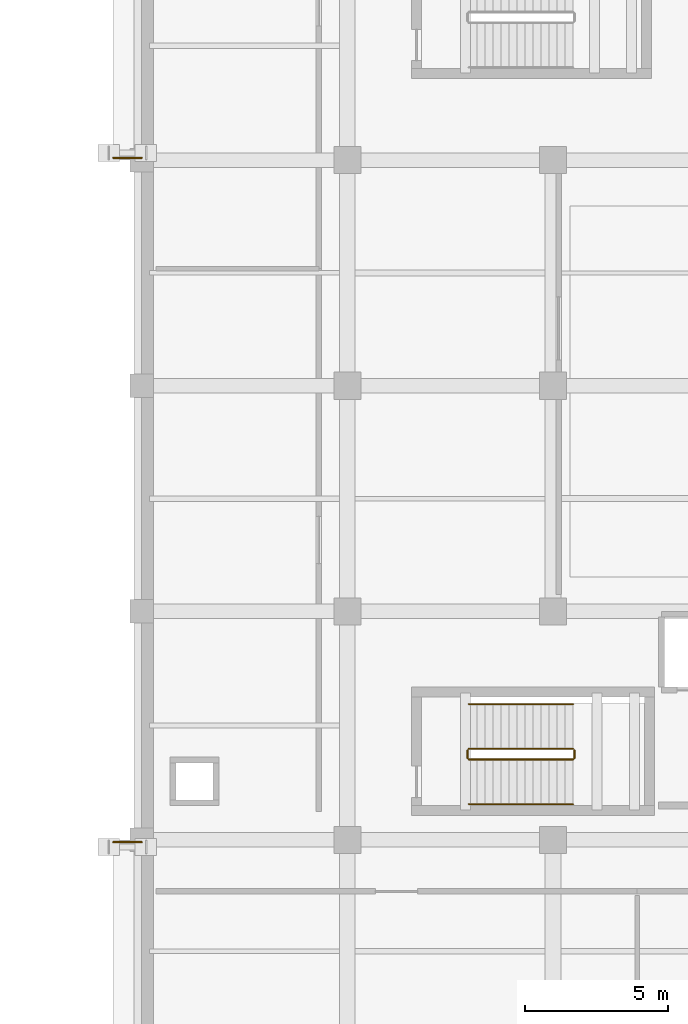
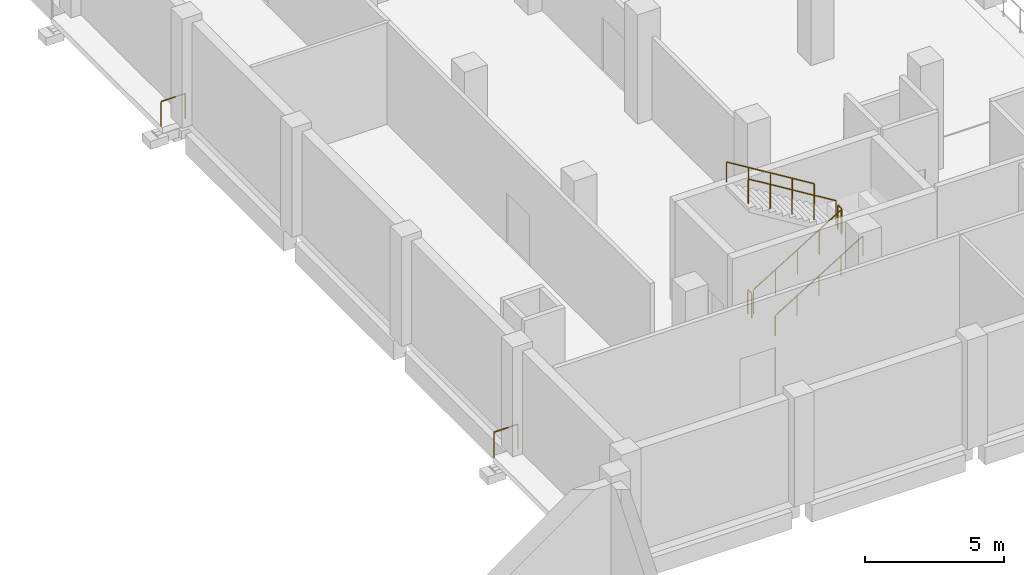
# One storey, part 25 of 31: 8 railings.
"""IFC4 building model written with IfcOpenShell, lengths in metres."""

from ifc_helpers import new_model, si_unit, direction, frame, origin, origin_2d, place, context, subcontext, project, spatial, circle, extrude, material, type_object, element, save


model = new_model("IFC4")

# Units and contexts
model_context = context("Model", 3, precision=1e-05, world=origin(), true_north=direction((0.0, 1.0)))
body_context = subcontext(model_context, "Body", "Model", "MODEL_VIEW")
ifc_project = project(units=[si_unit("LENGTHUNIT", "METRE"), si_unit("AREAUNIT", "SQUARE_METRE"), si_unit("VOLUMEUNIT", "CUBIC_METRE"), si_unit("PLANEANGLEUNIT", "RADIAN"), si_unit("MASSUNIT", "GRAM", prefix="KILO")], contexts=[model_context])

# Site, building, storey
site_placement = place(None, origin())
site = spatial("IfcSite", under=ifc_project, at=site_placement, CompositionType="ELEMENT")
building_placement = place(site_placement, origin())
building = spatial("IfcBuilding", under=site, at=building_placement, Name="Kelarvand Opera House", CompositionType="ELEMENT")
storey_placement = place(building_placement, frame((0.0, 0.0, -4.800048828125)))
storey = spatial("IfcBuildingStorey", under=building, at=storey_placement, Name="B1", CompositionType="ELEMENT", Elevation=-4.800048828125)

# Railings
ifc_material_1 = material(Name="Brushed bronze tubular rail")
railing_type_1 = type_object("IfcRailingType", Name="Brushed Bronze Stair Wall Handrail 900", PredefinedType="HANDRAIL", material=ifc_material_1)
railing_1_placement = place(storey_placement, frame((63.4599609375, 47.85009765625, 0.17138671875)))
element("IfcRailing", 1, at=railing_1_placement, inside=storey, type_object=railing_type_1, Name="B1 ST-02 stair handrail 1", PredefinedType="HANDRAIL", context=body_context, shape_type="SweptSolid", body=[
    extrude(circle(Radius=0.02392578125, at=origin_2d()), frame((0.0, 0.0, 0.8759765625), z_axis=(0.852840387347, 0.0, 0.522171689878), x_axis=(0.0, 1.0, 0.0)), (0.0, 0.0, 1.0), 4.268310546875),
    extrude(circle(Radius=0.02099609375, at=origin_2d()), origin(), (0.0, 0.0, 1.0), 0.851806640625),
    extrude(circle(Radius=0.02099609375, at=origin_2d()), frame((0.91015625, 0.0, 0.55712890625)), (0.0, 0.0, 1.0), 0.851806640625),
    extrude(circle(Radius=0.02099609375, at=origin_2d()), frame((1.820068359375, 0.0, 1.1142578125)), (0.0, 0.0, 1.0), 0.851806640625),
    extrude(circle(Radius=0.02099609375, at=origin_2d()), frame((2.72998046875, 0.0, 1.671630859375)), (0.0, 0.0, 1.0), 0.851806640625),
    extrude(circle(Radius=0.02099609375, at=origin_2d()), frame((3.64013671875, 0.0, 2.228759765625)), (0.0, 0.0, 1.0), 0.851806640625),
])
railing_2_placement = place(storey_placement, frame((67.10009765625, 51.35009765625, 2.571533203125)))
element("IfcRailing", 2, at=railing_2_placement, inside=storey, type_object=railing_type_1, Name="B1 ST-02 stair handrail 2", PredefinedType="HANDRAIL", context=body_context, shape_type="SweptSolid", body=[
    extrude(circle(Radius=0.02392578125, at=origin_2d()), frame((0.0, 0.0, 0.8759765625), z_axis=(-0.852865859571, 0.0, 0.52213008492), x_axis=(0.0, -1.0, 0.0)), (0.0, 0.0, 1.0), 4.26806640625),
    extrude(circle(Radius=0.02099609375, at=origin_2d()), origin(), (0.0, 0.0, 1.0), 0.851806640625),
    extrude(circle(Radius=0.02099609375, at=origin_2d()), frame((-0.91015625, 0.0, 0.55712890625)), (0.0, 0.0, 1.0), 0.851806640625),
    extrude(circle(Radius=0.02099609375, at=origin_2d()), frame((-1.820068359375, 0.0, 1.1142578125)), (0.0, 0.0, 1.0), 0.851806640625),
    extrude(circle(Radius=0.02099609375, at=origin_2d()), frame((-2.72998046875, 0.0, 1.67138671875)), (0.0, 0.0, 1.0), 0.851806640625),
    extrude(circle(Radius=0.02099609375, at=origin_2d()), frame((-3.64013671875, 0.0, 2.228515625)), (0.0, 0.0, 1.0), 0.851806640625),
])
ifc_material_2 = material(Name="Laminated safety glass with bronze cap rail", Category="glass")
railing_type_2 = type_object("IfcRailingType", Name="Laminated Glass and Bronze Foyer Balustrade 1120", PredefinedType="BALUSTRADE", material=ifc_material_2)
for number, where, name in (
    (3, (51.0, 70.47998046875, 0.0), "V1 B1 Balustrade 121"),
    (4, (51.0, 46.52001953125, 0.0), "V1 B1 Balustrade 128"),
):
    element("IfcRailing", number, at=place(storey_placement, frame(where)), inside=storey, type_object=railing_type_2, Name=name, PredefinedType="BALUSTRADE", context=body_context, shape_type="SweptSolid", body=[
        extrude(circle(Radius=0.02392578125, at=origin_2d()), frame((0.0, 0.0, 1.09619140625), z_axis=(1.0, 0.0, 0.0), x_axis=(0.0, 1.0, 0.0)), (0.0, 0.0, 1.0), 1.0),
        extrude(circle(Radius=0.02099609375, at=origin_2d()), origin(), (0.0, 0.0, 1.0), 1.072021484375),
        extrude(circle(Radius=0.02099609375, at=origin_2d()), frame((1.0, 0.0, 0.0)), (0.0, 0.0, 1.0), 1.072021484375),
    ])
ifc_material_3 = material(Name="Powder-coated Steel S355", Category="steel")
railing_type_3 = type_object("IfcRailingType", Name="Painted Steel Stair and Void Guardrail 1100", PredefinedType="GUARDRAIL", material=ifc_material_3)
railing_3_placement = place(storey_placement, frame((63.4599609375, 49.409912109375, 0.17138671875)))
element("IfcRailing", 5, at=railing_3_placement, inside=storey, type_object=railing_type_3, Name="B1 ST-02 stair guard 1", PredefinedType="GUARDRAIL", context=body_context, shape_type="SweptSolid", body=[
    extrude(circle(Radius=0.02392578125, at=origin_2d()), frame((0.0, 0.0, 1.076171875), z_axis=(0.852840387347, 0.0, 0.522171689878), x_axis=(0.0, 1.0, 0.0)), (0.0, 0.0, 1.0), 4.268310546875),
    extrude(circle(Radius=0.02099609375, at=origin_2d()), origin(), (0.0, 0.0, 1.0), 1.052001953125),
    extrude(circle(Radius=0.02099609375, at=origin_2d()), frame((0.91015625, 0.0, 0.55712890625)), (0.0, 0.0, 1.0), 1.052001953125),
    extrude(circle(Radius=0.02099609375, at=origin_2d()), frame((1.820068359375, 0.0, 1.1142578125)), (0.0, 0.0, 1.0), 1.052001953125),
    extrude(circle(Radius=0.02099609375, at=origin_2d()), frame((2.72998046875, 0.0, 1.671630859375)), (0.0, 0.0, 1.0), 1.052001953125),
    extrude(circle(Radius=0.02099609375, at=origin_2d()), frame((3.64013671875, 0.0, 2.228759765625)), (0.0, 0.0, 1.0), 1.052001953125),
])
railing_4_placement = place(storey_placement, frame((67.14990234375, 49.4599609375, 2.400146484375)))
element("IfcRailing", 6, at=railing_4_placement, inside=storey, type_object=railing_type_3, Name="B1 ST-02 stair guard 2", PredefinedType="GUARDRAIL", context=body_context, shape_type="SweptSolid", body=[
    extrude(circle(Radius=0.02392578125, at=origin_2d()), frame((0.0, 0.0, 1.076171875), z_axis=(0.0, 1.0, 0.0), x_axis=(-1.0, 0.0, 0.0)), (0.0, 0.0, 1.0), 0.280029296875),
    extrude(circle(Radius=0.02099609375, at=origin_2d()), origin(), (0.0, 0.0, 1.0), 1.052001953125),
    extrude(circle(Radius=0.02099609375, at=origin_2d()), frame((0.0, 0.280029296875, 0.0)), (0.0, 0.0, 1.0), 1.052001953125),
])
railing_5_placement = place(storey_placement, frame((67.10009765625, 49.7900390625, 2.571533203125)))
element("IfcRailing", 7, at=railing_5_placement, inside=storey, type_object=railing_type_3, Name="B1 ST-02 stair guard 3", PredefinedType="GUARDRAIL", context=body_context, shape_type="SweptSolid", body=[
    extrude(circle(Radius=0.02392578125, at=origin_2d()), frame((0.0, 0.0, 1.076171875), z_axis=(-0.852865859571, 0.0, 0.52213008492), x_axis=(0.0, -1.0, 0.0)), (0.0, 0.0, 1.0), 4.26806640625),
    extrude(circle(Radius=0.02099609375, at=origin_2d()), origin(), (0.0, 0.0, 1.0), 1.052001953125),
    extrude(circle(Radius=0.02099609375, at=origin_2d()), frame((-0.91015625, 0.0, 0.55712890625)), (0.0, 0.0, 1.0), 1.052001953125),
    extrude(circle(Radius=0.02099609375, at=origin_2d()), frame((-1.820068359375, 0.0, 1.1142578125)), (0.0, 0.0, 1.0), 1.052001953125),
    extrude(circle(Radius=0.02099609375, at=origin_2d()), frame((-2.72998046875, 0.0, 1.67138671875)), (0.0, 0.0, 1.0), 1.052001953125),
    extrude(circle(Radius=0.02099609375, at=origin_2d()), frame((-3.64013671875, 0.0, 2.228515625)), (0.0, 0.0, 1.0), 1.052001953125),
])
railing_6_placement = place(storey_placement, frame((63.409912109375, 49.4599609375, 0.0)))
element("IfcRailing", 8, at=railing_6_placement, inside=storey, type_object=railing_type_3, Name="B1 ST-02 stair guard 4", PredefinedType="GUARDRAIL", context=body_context, shape_type="SweptSolid", body=[
    extrude(circle(Radius=0.02392578125, at=origin_2d()), frame((0.0, 0.0, 1.076171875), z_axis=(0.0, 1.0, 0.0), x_axis=(-1.0, 0.0, 0.0)), (0.0, 0.0, 1.0), 0.280029296875),
    extrude(circle(Radius=0.02099609375, at=origin_2d()), origin(), (0.0, 0.0, 1.0), 1.052001953125),
    extrude(circle(Radius=0.02099609375, at=origin_2d()), frame((0.0, 0.280029296875, 0.0)), (0.0, 0.0, 1.0), 1.052001953125),
])

save(model, "model.ifc")
